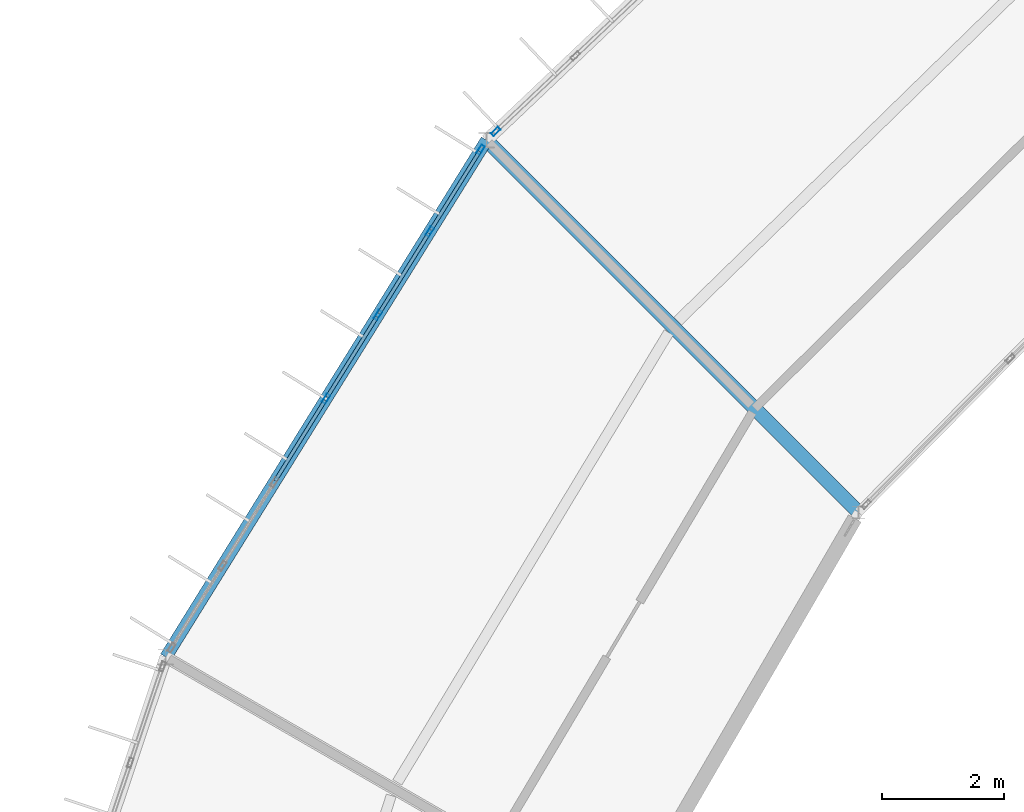
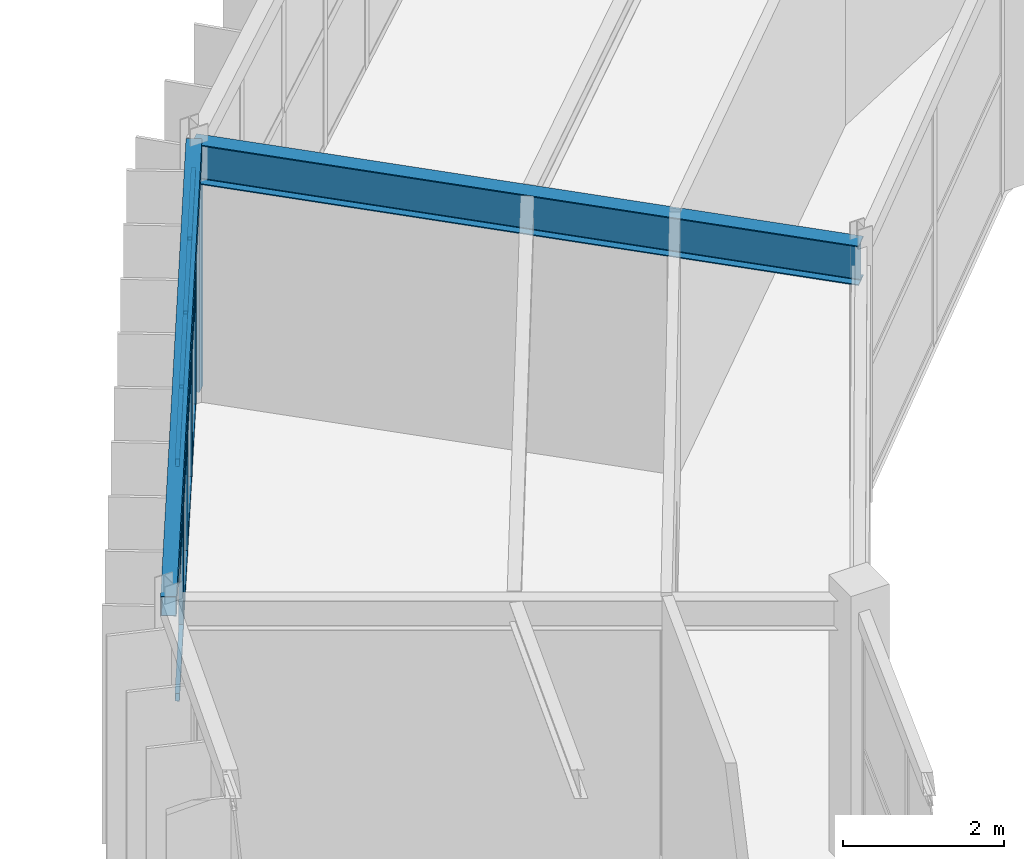
# One storey, part 65 of 130: 17 members, 2 beams, 2 elements without a shape of their own.
"""IFC4 building model written with IfcOpenShell, lengths in metres."""

from ifc_helpers import new_model, si_unit, direction, frame, origin, origin_2d, place, context, subcontext, project, spatial, hollow_rectangle, i_section, extrude, material, material_profile, profile_set, type_object, element, aggregate, save


model = new_model("IFC4")

# Units and contexts
model_context = context("Model", 3, precision=1e-05, world=origin(), true_north=direction((0.0, 1.0)))
body_context = subcontext(model_context, "Body", "Model", "MODEL_VIEW")
ifc_project = project(units=[si_unit("LENGTHUNIT", "METRE"), si_unit("AREAUNIT", "SQUARE_METRE"), si_unit("VOLUMEUNIT", "CUBIC_METRE"), si_unit("PLANEANGLEUNIT", "RADIAN"), si_unit("MASSUNIT", "GRAM", prefix="KILO")], contexts=[model_context])

# Site, building, storey
site_placement = place(None, origin())
site = spatial("IfcSite", under=ifc_project, at=site_placement, CompositionType="ELEMENT")
building_placement = place(site_placement, origin())
building = spatial("IfcBuilding", under=site, at=building_placement, Name="Karori Crest Natural Sciences Institute", CompositionType="ELEMENT")
storey_placement = place(building_placement, frame((0.0, 0.0, 17.5)))
storey = spatial("IfcBuildingStorey", under=building, at=storey_placement, Name="L04", CompositionType="ELEMENT", Elevation=17.5)

# Beams
ifc_material_1 = material(Name="Hollow structural steel AS/NZS 1163 Grade C350", Category="steel")
ifc_material_profile_1 = material_profile(ifc_material_1, hollow_rectangle(XDim=0.199951171875, YDim=0.300048828125, WallThickness=0.010009765625, at=origin_2d()), Name="RHS300x200x10")
ifc_profile_set_1 = profile_set([ifc_material_profile_1], Name="Hollow structural steel AS/NZS 1163 Grade C350")
beam_type_1 = type_object("IfcBeamType", Name="BT-15", PredefinedType="SPANDREL", material=ifc_profile_set_1)
beam_1_placement = place(storey_placement, frame((43.0654296875, 78.75, 3.7900390625), z_axis=(-0.527315195609, -0.849669750244, 0.0), x_axis=(0.849669750244, -0.527315195609, 0.0)))
element("IfcBeam", 1, at=beam_1_placement, inside=storey, type_object=beam_type_1, Name="Beam B-0485", PredefinedType="SPANDREL", context=body_context, shape_type="SweptSolid", body=[
    extrude(hollow_rectangle(XDim=0.199951171875, YDim=0.300048828125, WallThickness=0.010009765625, at=origin_2d()), origin(), (0.0, 0.0, 1.0), 9.945068359375),
])
ifc_material_2 = material(Name="Structural steel AS/NZS 3679.1 Grade 350", Category="steel")
ifc_material_profile_2 = material_profile(ifc_material_2, i_section(OverallWidth=0.22802734375, OverallDepth=0.60205078125, WebThickness=0.010498046875, FlangeThickness=0.014892578125, FilletRadius=0.013916015625, at=origin_2d()), Name="610UB101")
ifc_profile_set_2 = profile_set([ifc_material_profile_2], Name="Structural steel AS/NZS 3679.1 Grade 350")
beam_type_2 = type_object("IfcBeamType", Name="BT-27", PredefinedType="BEAM", material=ifc_profile_set_2)
beam_2_placement = place(storey_placement, frame((49.146484375, 72.668701171875, 3.638916015625), z_axis=(-0.707092586958, 0.70712097513, 0.0), x_axis=(-0.70712097513, -0.707092586958, 0.0)))
element("IfcBeam", 2, at=beam_2_placement, inside=storey, type_object=beam_type_2, Name="Beam B-0487", PredefinedType="BEAM", context=body_context, shape_type="SweptSolid", body=[
    extrude(i_section(OverallWidth=0.22802734375, OverallDepth=0.60205078125, WebThickness=0.010498046875, FlangeThickness=0.014892578125, FilletRadius=0.013916015625, at=origin_2d()), origin(), (0.0, 0.0, 1.0), 8.60009765625),
])

# Curtain wall, member
ifc_material_3 = material(Name="Anodised architectural aluminium 6063-T6", Category="aluminium")
curtain_wall_type_1 = type_object("IfcCurtainWallType", Name="CWT-09", PredefinedType="NOTDEFINED", material=ifc_material_3)
curtain_wall_1_placement = place(storey_placement, origin())
curtain_wall_1 = element("IfcCurtainWall", 3, at=curtain_wall_1_placement, inside=storey, type_object=curtain_wall_type_1, Name="Curtain wall CW-0148", PredefinedType="NOTDEFINED")
ifc_material_profile_3 = material_profile(ifc_material_3, hollow_rectangle(XDim=0.06494140625, YDim=0.159912109375, WallThickness=0.00390625, at=origin_2d()), Name="CWM160x65x4")
ifc_profile_set_3 = profile_set([ifc_material_profile_3], Name="Anodised architectural aluminium 6063-T6")
member_type_1 = type_object("IfcMemberType", Name="CWM-01", PredefinedType="MULLION", material=ifc_profile_set_3)
member_1_placement = place(storey_placement, frame((43.215576171875, 78.892333984375, 0.0), z_axis=(0.0, 0.0, 1.0), x_axis=(-0.688250542104, 0.725473081026, 0.0)))
member_1 = element("IfcMember", 4, at=member_1_placement, type_object=member_type_1, Name="CW-0148 mullion 1", PredefinedType="MULLION", context=body_context, shape_type="SweptSolid", body=[
    extrude(hollow_rectangle(XDim=0.06494140625, YDim=0.159912109375, WallThickness=0.00390625, at=origin_2d()), origin(), (0.0, 0.0, 1.0), 3.625),
])
aggregate(curtain_wall_1, [member_1])

# Curtain wall, members
curtain_wall_type_2 = type_object("IfcCurtainWallType", Name="CWT-10", PredefinedType="NOTDEFINED", material=ifc_material_3)
curtain_wall_2_placement = place(storey_placement, origin())
curtain_wall_2 = element("IfcCurtainWall", 5, at=curtain_wall_2_placement, inside=storey, type_object=curtain_wall_type_2, Name="Curtain wall CW-0150", PredefinedType="NOTDEFINED")
member_2_placement = place(storey_placement, frame((40.4423828125, 74.5234375, 0.0), z_axis=(0.0, 0.0, 1.0), x_axis=(-0.849664350398, 0.527323896352, 0.0)))
member_2 = element("IfcMember", 6, at=member_2_placement, type_object=member_type_1, Name="CW-0150 mullion 4", PredefinedType="MULLION", context=body_context, shape_type="SweptSolid", body=[
    extrude(hollow_rectangle(XDim=0.06494140625, YDim=0.159912109375, WallThickness=0.00390625, at=origin_2d()), origin(), (0.0, 0.0, 1.0), 3.625),
])
member_3_placement = place(storey_placement, frame((41.290283203125, 75.8896484375, 0.0), z_axis=(0.0, 0.0, 1.0), x_axis=(-0.849664350398, 0.527323896352, 0.0)))
member_3 = element("IfcMember", 7, at=member_3_placement, type_object=member_type_1, Name="CW-0150 mullion 5", PredefinedType="MULLION", context=body_context, shape_type="SweptSolid", body=[
    extrude(hollow_rectangle(XDim=0.06494140625, YDim=0.159912109375, WallThickness=0.00390625, at=origin_2d()), origin(), (0.0, 0.0, 1.0), 3.625),
])
member_4_placement = place(storey_placement, frame((42.13818359375, 77.255615234375, 0.0), z_axis=(0.0, 0.0, 1.0), x_axis=(-0.849664350398, 0.527323896352, 0.0)))
member_4 = element("IfcMember", 8, at=member_4_placement, type_object=member_type_1, Name="CW-0150 mullion 6", PredefinedType="MULLION", context=body_context, shape_type="SweptSolid", body=[
    extrude(hollow_rectangle(XDim=0.06494140625, YDim=0.159912109375, WallThickness=0.00390625, at=origin_2d()), origin(), (0.0, 0.0, 1.0), 3.625),
])
member_5_placement = place(storey_placement, frame((42.96875, 78.593994140625, 0.0), z_axis=(0.0, 0.0, 1.0), x_axis=(-0.849664350398, 0.527323896352, 0.0)))
member_5 = element("IfcMember", 9, at=member_5_placement, type_object=member_type_1, Name="CW-0150 mullion 7", PredefinedType="MULLION", context=body_context, shape_type="SweptSolid", body=[
    extrude(hollow_rectangle(XDim=0.06494140625, YDim=0.159912109375, WallThickness=0.00390625, at=origin_2d()), origin(), (0.0, 0.0, 1.0), 3.625),
])
ifc_material_profile_4 = material_profile(ifc_material_3, hollow_rectangle(XDim=0.06005859375, YDim=0.1201171875, WallThickness=0.00390625, at=origin_2d()), Name="CWT120x60x4")
ifc_profile_set_4 = profile_set([ifc_material_profile_4], Name="Anodised architectural aluminium 6063-T6")
member_type_2 = type_object("IfcMemberType", Name="CWT-TR1", PredefinedType="USERDEFINED", material=ifc_profile_set_4)
member_6_placement = place(storey_placement, frame((39.61181640625, 73.18505859375, 0.030029296875), z_axis=(0.527307708925, 0.849674396524, 0.0), x_axis=(-0.849674396524, 0.527307708925, 0.0)))
member_6 = element("IfcMember", 10, at=member_6_placement, type_object=member_type_2, Name="CW-0150 transom 3.1", ObjectType="TRANSOM", PredefinedType="USERDEFINED", context=body_context, shape_type="SweptSolid", body=[
    extrude(hollow_rectangle(XDim=0.06005859375, YDim=0.1201171875, WallThickness=0.00390625, at=origin_2d()), origin(), (0.0, 0.0, 1.0), 1.542724609375),
])
member_7_placement = place(storey_placement, frame((39.61181640625, 73.18505859375, 1.8125), z_axis=(0.527307708925, 0.849674396524, 0.0), x_axis=(-0.849674396524, 0.527307708925, 0.0)))
member_7 = element("IfcMember", 11, at=member_7_placement, type_object=member_type_2, Name="CW-0150 transom 3.2", ObjectType="TRANSOM", PredefinedType="USERDEFINED", context=body_context, shape_type="SweptSolid", body=[
    extrude(hollow_rectangle(XDim=0.06005859375, YDim=0.1201171875, WallThickness=0.00390625, at=origin_2d()), origin(), (0.0, 0.0, 1.0), 1.542724609375),
])
member_8_placement = place(storey_placement, frame((39.61181640625, 73.18505859375, 3.594970703125), z_axis=(0.527307708925, 0.849674396524, 0.0), x_axis=(-0.849674396524, 0.527307708925, 0.0)))
member_8 = element("IfcMember", 12, at=member_8_placement, type_object=member_type_2, Name="CW-0150 transom 3.3", ObjectType="TRANSOM", PredefinedType="USERDEFINED", context=body_context, shape_type="SweptSolid", body=[
    extrude(hollow_rectangle(XDim=0.06005859375, YDim=0.1201171875, WallThickness=0.00390625, at=origin_2d()), origin(), (0.0, 0.0, 1.0), 1.542724609375),
])
member_9_placement = place(storey_placement, frame((40.45947265625, 74.551025390625, 0.030029296875), z_axis=(0.527351046072, 0.849647499971, 0.0), x_axis=(-0.849647499971, 0.527351046072, 0.0)))
member_9 = element("IfcMember", 13, at=member_9_placement, type_object=member_type_2, Name="CW-0150 transom 4.1", ObjectType="TRANSOM", PredefinedType="USERDEFINED", context=body_context, shape_type="SweptSolid", body=[
    extrude(hollow_rectangle(XDim=0.06005859375, YDim=0.1201171875, WallThickness=0.00390625, at=origin_2d()), origin(), (0.0, 0.0, 1.0), 1.54296875),
])
member_10_placement = place(storey_placement, frame((40.45947265625, 74.551025390625, 1.8125), z_axis=(0.527351046072, 0.849647499971, 0.0), x_axis=(-0.849647499971, 0.527351046072, 0.0)))
member_10 = element("IfcMember", 14, at=member_10_placement, type_object=member_type_2, Name="CW-0150 transom 4.2", ObjectType="TRANSOM", PredefinedType="USERDEFINED", context=body_context, shape_type="SweptSolid", body=[
    extrude(hollow_rectangle(XDim=0.06005859375, YDim=0.1201171875, WallThickness=0.00390625, at=origin_2d()), origin(), (0.0, 0.0, 1.0), 1.54296875),
])
member_11_placement = place(storey_placement, frame((40.45947265625, 74.551025390625, 3.594970703125), z_axis=(0.527351046072, 0.849647499971, 0.0), x_axis=(-0.849647499971, 0.527351046072, 0.0)))
member_11 = element("IfcMember", 15, at=member_11_placement, type_object=member_type_2, Name="CW-0150 transom 4.3", ObjectType="TRANSOM", PredefinedType="USERDEFINED", context=body_context, shape_type="SweptSolid", body=[
    extrude(hollow_rectangle(XDim=0.06005859375, YDim=0.1201171875, WallThickness=0.00390625, at=origin_2d()), origin(), (0.0, 0.0, 1.0), 1.54296875),
])
member_12_placement = place(storey_placement, frame((41.307373046875, 75.917236328125, 0.030029296875), z_axis=(0.527307708925, 0.849674396524, 0.0), x_axis=(-0.849674396524, 0.527307708925, 0.0)))
member_12 = element("IfcMember", 16, at=member_12_placement, type_object=member_type_2, Name="CW-0150 transom 5.1", ObjectType="TRANSOM", PredefinedType="USERDEFINED", context=body_context, shape_type="SweptSolid", body=[
    extrude(hollow_rectangle(XDim=0.06005859375, YDim=0.1201171875, WallThickness=0.00390625, at=origin_2d()), origin(), (0.0, 0.0, 1.0), 1.542724609375),
])
member_13_placement = place(storey_placement, frame((41.307373046875, 75.917236328125, 1.8125), z_axis=(0.527307708925, 0.849674396524, 0.0), x_axis=(-0.849674396524, 0.527307708925, 0.0)))
member_13 = element("IfcMember", 17, at=member_13_placement, type_object=member_type_2, Name="CW-0150 transom 5.2", ObjectType="TRANSOM", PredefinedType="USERDEFINED", context=body_context, shape_type="SweptSolid", body=[
    extrude(hollow_rectangle(XDim=0.06005859375, YDim=0.1201171875, WallThickness=0.00390625, at=origin_2d()), origin(), (0.0, 0.0, 1.0), 1.542724609375),
])
member_14_placement = place(storey_placement, frame((41.307373046875, 75.917236328125, 3.594970703125), z_axis=(0.527307708925, 0.849674396524, 0.0), x_axis=(-0.849674396524, 0.527307708925, 0.0)))
member_14 = element("IfcMember", 18, at=member_14_placement, type_object=member_type_2, Name="CW-0150 transom 5.3", ObjectType="TRANSOM", PredefinedType="USERDEFINED", context=body_context, shape_type="SweptSolid", body=[
    extrude(hollow_rectangle(XDim=0.06005859375, YDim=0.1201171875, WallThickness=0.00390625, at=origin_2d()), origin(), (0.0, 0.0, 1.0), 1.542724609375),
])
member_15_placement = place(storey_placement, frame((42.1552734375, 77.283203125, 0.030029296875), z_axis=(0.52732262058, 0.849665142173, 0.0), x_axis=(-0.849665142173, 0.52732262058, 0.0)))
member_15 = element("IfcMember", 19, at=member_15_placement, type_object=member_type_2, Name="CW-0150 transom 6.1", ObjectType="TRANSOM", PredefinedType="USERDEFINED", context=body_context, shape_type="SweptSolid", body=[
    extrude(hollow_rectangle(XDim=0.06005859375, YDim=0.1201171875, WallThickness=0.00390625, at=origin_2d()), origin(), (0.0, 0.0, 1.0), 1.51025390625),
])
member_16_placement = place(storey_placement, frame((42.1552734375, 77.283203125, 1.8125), z_axis=(0.52732262058, 0.849665142173, 0.0), x_axis=(-0.849665142173, 0.52732262058, 0.0)))
member_16 = element("IfcMember", 20, at=member_16_placement, type_object=member_type_2, Name="CW-0150 transom 6.2", ObjectType="TRANSOM", PredefinedType="USERDEFINED", context=body_context, shape_type="SweptSolid", body=[
    extrude(hollow_rectangle(XDim=0.06005859375, YDim=0.1201171875, WallThickness=0.00390625, at=origin_2d()), origin(), (0.0, 0.0, 1.0), 1.51025390625),
])
member_17_placement = place(storey_placement, frame((42.1552734375, 77.283203125, 3.594970703125), z_axis=(0.52732262058, 0.849665142173, 0.0), x_axis=(-0.849665142173, 0.52732262058, 0.0)))
member_17 = element("IfcMember", 21, at=member_17_placement, type_object=member_type_2, Name="CW-0150 transom 6.3", ObjectType="TRANSOM", PredefinedType="USERDEFINED", context=body_context, shape_type="SweptSolid", body=[
    extrude(hollow_rectangle(XDim=0.06005859375, YDim=0.1201171875, WallThickness=0.00390625, at=origin_2d()), origin(), (0.0, 0.0, 1.0), 1.51025390625),
])
aggregate(curtain_wall_2, [member_2, member_3, member_4, member_5, member_6, member_7, member_8, member_9, member_10, member_11, member_12, member_13, member_14, member_15, member_16, member_17])

save(model, "model.ifc")
